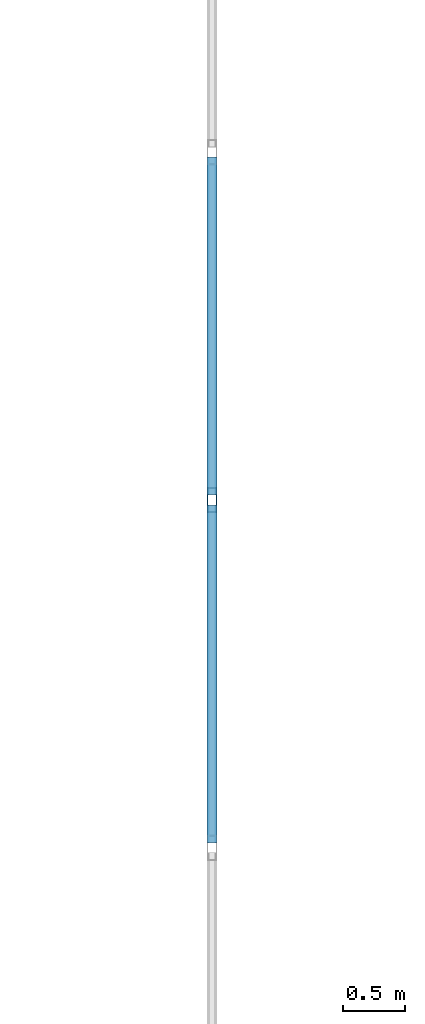
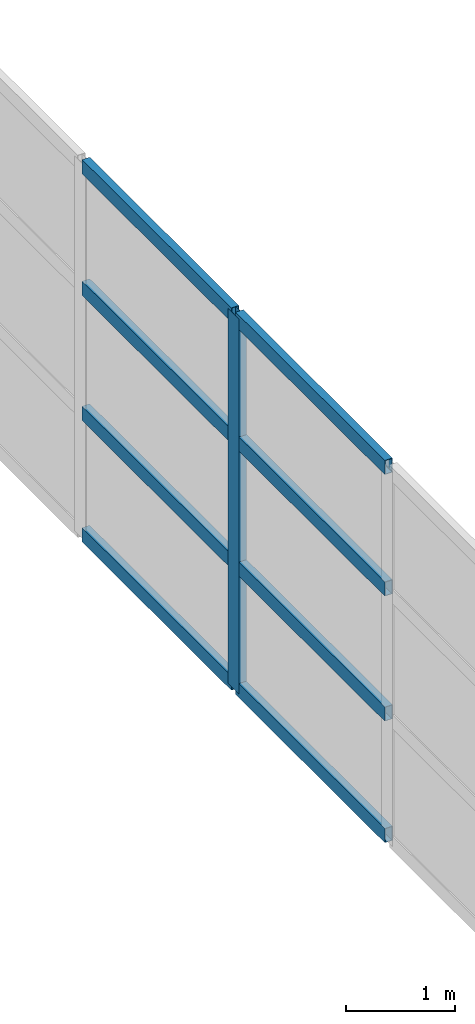
# One storey, part 26 of 86: 9 members, 1 element without a shape of its own.
"""IFC4 building model written with IfcOpenShell, lengths in metres."""

from ifc_helpers import new_model, si_unit, direction, frame, origin, origin_2d, place, context, subcontext, project, spatial, hollow_rectangle, extrude, material, layer, layer_set, material_profile, profile_set, type_object, element, aggregate, save


model = new_model("IFC4")

# Units and contexts
model_context = context("Model", 3, precision=1e-05, world=origin(), true_north=direction((0.0, 1.0)))
body_context = subcontext(model_context, "Body", "Model", "MODEL_VIEW")
ifc_project = project(units=[si_unit("LENGTHUNIT", "METRE"), si_unit("AREAUNIT", "SQUARE_METRE"), si_unit("VOLUMEUNIT", "CUBIC_METRE"), si_unit("PLANEANGLEUNIT", "RADIAN"), si_unit("MASSUNIT", "GRAM", prefix="KILO")], contexts=[model_context])

# Site, building, storey
site_placement = place(None, origin())
site = spatial("IfcSite", under=ifc_project, at=site_placement, CompositionType="ELEMENT")
building_placement = place(site_placement, origin())
building = spatial("IfcBuilding", under=site, at=building_placement, Name="Zilviju Railside Exhibition Hall", CompositionType="ELEMENT")
storey_placement = place(building_placement, frame((0.0, 0.0, 12.60009765625)))
storey = spatial("IfcBuildingStorey", under=building, at=storey_placement, Name="L04", CompositionType="ELEMENT", Elevation=12.60009765625)

# Curtain wall, members
ifc_material_1 = material(Name="Thermally broken aluminium-steel triple-glazed curtain wall", Category="steel")
ifc_layer = layer(ifc_material_1, 0.179931640625)
ifc_layer_set = layer_set([ifc_layer], Name="Thermally broken aluminium-steel triple-glazed curtain wall")
curtain_wall_type = type_object("IfcCurtainWallType", Name="CW-BAY-18", PredefinedType="USERDEFINED", material=ifc_layer_set)
curtain_wall_placement = place(storey_placement, origin())
curtain_wall = element("IfcCurtainWall", 1, at=curtain_wall_placement, inside=storey, type_object=curtain_wall_type, Name="North Hall West Upper Glazed Gable (120..138)", ObjectType="GLAZED CURTAIN WALL", PredefinedType="USERDEFINED")
ifc_material_2 = material(Name="Thermally broken anodized aluminium mullion", Category="aluminium")
ifc_material_profile_1 = material_profile(ifc_material_2, hollow_rectangle(XDim=0.080078125, YDim=0.199951171875, WallThickness=0.0048828125, at=origin_2d()), Name="MULLION 200x80x5")
ifc_profile_set_1 = profile_set([ifc_material_profile_1], Name="Thermally broken anodized aluminium mullion")
member_type_1 = type_object("IfcMemberType", Name="CWM-80x200", PredefinedType="MULLION", material=ifc_profile_set_1)
member_1_placement = place(storey_placement, frame((78.0, 126.183349609375, 0.0), z_axis=(0.0, 0.0, 1.0), x_axis=(-1.0, 0.0, 0.0)))
member_1 = element("IfcMember", 2, at=member_1_placement, type_object=member_type_1, Name="CW-18 mullion 3", PredefinedType="MULLION", context=body_context, shape_type="SweptSolid", body=[
    extrude(hollow_rectangle(XDim=0.080078125, YDim=0.199951171875, WallThickness=0.0048828125, at=origin_2d()), origin(), (0.0, 0.0, 1.0), 4.199951171875),
])
ifc_material_3 = material(Name="Thermally broken anodized aluminium transom", Category="aluminium")
ifc_material_profile_2 = material_profile(ifc_material_3, hollow_rectangle(XDim=0.080078125, YDim=0.159912109375, WallThickness=0.0048828125, at=origin_2d()), Name="TRANSOM 160x80x5")
ifc_profile_set_2 = profile_set([ifc_material_profile_2], Name="Thermally broken anodized aluminium transom")
member_type_2 = type_object("IfcMemberType", Name="CWT-80x160", PredefinedType="USERDEFINED", material=ifc_profile_set_2)
member_2_placement = place(storey_placement, frame((78.0, 123.40673828125, 0.039794921875), z_axis=(0.0, 1.0, 0.0), x_axis=(-1.0, 0.0, 0.0)))
member_2 = element("IfcMember", 3, at=member_2_placement, type_object=member_type_2, Name="CW-18 transom 2.1", ObjectType="TRANSOM", PredefinedType="USERDEFINED", context=body_context, shape_type="SweptSolid", body=[
    extrude(hollow_rectangle(XDim=0.080078125, YDim=0.159912109375, WallThickness=0.0048828125, at=origin_2d()), origin(), (0.0, 0.0, 1.0), 2.736572265625),
])
member_3_placement = place(storey_placement, frame((78.0, 123.40673828125, 1.39990234375), z_axis=(0.0, 1.0, 0.0), x_axis=(-1.0, 0.0, 0.0)))
member_3 = element("IfcMember", 4, at=member_3_placement, type_object=member_type_2, Name="CW-18 transom 2.2", ObjectType="TRANSOM", PredefinedType="USERDEFINED", context=body_context, shape_type="SweptSolid", body=[
    extrude(hollow_rectangle(XDim=0.080078125, YDim=0.159912109375, WallThickness=0.0048828125, at=origin_2d()), origin(), (0.0, 0.0, 1.0), 2.736572265625),
])
member_4_placement = place(storey_placement, frame((78.0, 123.40673828125, 2.7998046875), z_axis=(0.0, 1.0, 0.0), x_axis=(-1.0, 0.0, 0.0)))
member_4 = element("IfcMember", 5, at=member_4_placement, type_object=member_type_2, Name="CW-18 transom 2.3", ObjectType="TRANSOM", PredefinedType="USERDEFINED", context=body_context, shape_type="SweptSolid", body=[
    extrude(hollow_rectangle(XDim=0.080078125, YDim=0.159912109375, WallThickness=0.0048828125, at=origin_2d()), origin(), (0.0, 0.0, 1.0), 2.736572265625),
])
member_5_placement = place(storey_placement, frame((78.0, 123.40673828125, 4.159912109375), z_axis=(0.0, 1.0, 0.0), x_axis=(-1.0, 0.0, 0.0)))
member_5 = element("IfcMember", 6, at=member_5_placement, type_object=member_type_2, Name="CW-18 transom 2.4", ObjectType="TRANSOM", PredefinedType="USERDEFINED", context=body_context, shape_type="SweptSolid", body=[
    extrude(hollow_rectangle(XDim=0.080078125, YDim=0.159912109375, WallThickness=0.0048828125, at=origin_2d()), origin(), (0.0, 0.0, 1.0), 2.736572265625),
])
member_6_placement = place(storey_placement, frame((78.0, 126.223388671875, 0.039794921875), z_axis=(0.0, 1.0, 0.0), x_axis=(-1.0, 0.0, 0.0)))
member_6 = element("IfcMember", 7, at=member_6_placement, type_object=member_type_2, Name="CW-18 transom 3.1", ObjectType="TRANSOM", PredefinedType="USERDEFINED", context=body_context, shape_type="SweptSolid", body=[
    extrude(hollow_rectangle(XDim=0.080078125, YDim=0.159912109375, WallThickness=0.0048828125, at=origin_2d()), origin(), (0.0, 0.0, 1.0), 2.736572265625),
])
member_7_placement = place(storey_placement, frame((78.0, 126.223388671875, 1.39990234375), z_axis=(0.0, 1.0, 0.0), x_axis=(-1.0, 0.0, 0.0)))
member_7 = element("IfcMember", 8, at=member_7_placement, type_object=member_type_2, Name="CW-18 transom 3.2", ObjectType="TRANSOM", PredefinedType="USERDEFINED", context=body_context, shape_type="SweptSolid", body=[
    extrude(hollow_rectangle(XDim=0.080078125, YDim=0.159912109375, WallThickness=0.0048828125, at=origin_2d()), origin(), (0.0, 0.0, 1.0), 2.736572265625),
])
member_8_placement = place(storey_placement, frame((78.0, 126.223388671875, 2.7998046875), z_axis=(0.0, 1.0, 0.0), x_axis=(-1.0, 0.0, 0.0)))
member_8 = element("IfcMember", 9, at=member_8_placement, type_object=member_type_2, Name="CW-18 transom 3.3", ObjectType="TRANSOM", PredefinedType="USERDEFINED", context=body_context, shape_type="SweptSolid", body=[
    extrude(hollow_rectangle(XDim=0.080078125, YDim=0.159912109375, WallThickness=0.0048828125, at=origin_2d()), origin(), (0.0, 0.0, 1.0), 2.736572265625),
])
member_9_placement = place(storey_placement, frame((78.0, 126.223388671875, 4.159912109375), z_axis=(0.0, 1.0, 0.0), x_axis=(-1.0, 0.0, 0.0)))
member_9 = element("IfcMember", 10, at=member_9_placement, type_object=member_type_2, Name="CW-18 transom 3.4", ObjectType="TRANSOM", PredefinedType="USERDEFINED", context=body_context, shape_type="SweptSolid", body=[
    extrude(hollow_rectangle(XDim=0.080078125, YDim=0.159912109375, WallThickness=0.0048828125, at=origin_2d()), origin(), (0.0, 0.0, 1.0), 2.736572265625),
])
aggregate(curtain_wall, [member_1, member_2, member_3, member_4, member_5, member_6, member_7, member_8, member_9])

save(model, "model.ifc")
